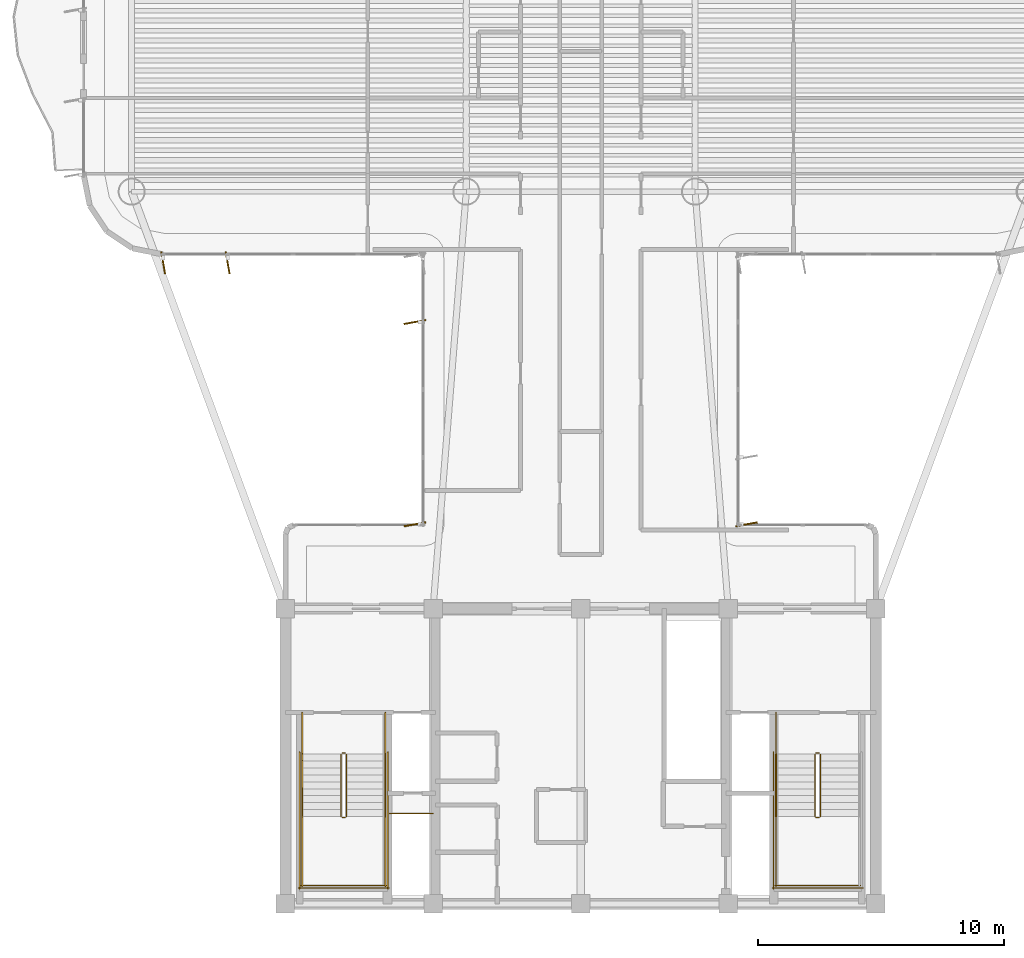
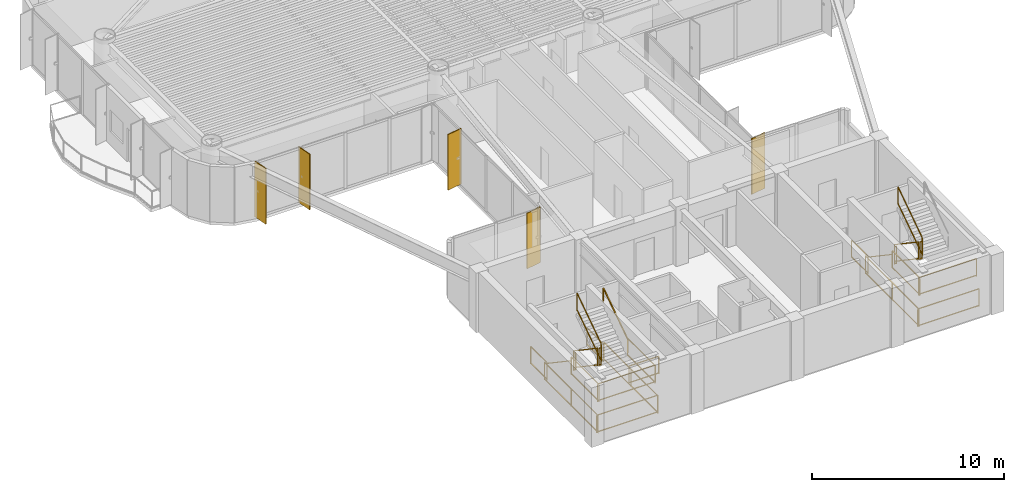
# One storey, part 14 of 15: 25 railings, 5 shading devices.
"""IFC4 building model written with IfcOpenShell, lengths in metres."""

from ifc_helpers import new_model, si_unit, direction, frame, origin, origin_2d, place, context, subcontext, project, spatial, rectangle, extrude, source, transform, mapped, material, layer, layer_set, material_profile, profile_set, type_object, element, save


model = new_model("IFC4")

# Units and contexts
model_context = context("Model", 3, precision=1e-05, world=origin(), true_north=direction((0.0, 1.0)))
body_context = subcontext(model_context, "Body", "Model", "MODEL_VIEW")
ifc_project = project(units=[si_unit("LENGTHUNIT", "METRE"), si_unit("AREAUNIT", "SQUARE_METRE"), si_unit("VOLUMEUNIT", "CUBIC_METRE"), si_unit("PLANEANGLEUNIT", "RADIAN"), si_unit("MASSUNIT", "GRAM", prefix="KILO")], contexts=[model_context])

# Site, building, storey
site_placement = place(None, origin())
site = spatial("IfcSite", under=ifc_project, at=site_placement, CompositionType="ELEMENT")
building_placement = place(site_placement, origin())
building = spatial("IfcBuilding", under=site, at=building_placement, Name="Brelvock Crest Care Tower", CompositionType="ELEMENT")
storey_placement = place(building_placement, frame((0.0, 0.0, 171.5400390625)))
storey = spatial("IfcBuildingStorey", under=building, at=storey_placement, Name="L43", CompositionType="ELEMENT", Elevation=171.5400390625)

# Railings
ifc_material_1 = material(Name="Steel Grade 350", Category="steel")
ifc_layer_1 = layer(ifc_material_1, 0.050048828125, Name="RL-STG1")
ifc_layer_set_1 = layer_set([ifc_layer_1], Name="Steel Grade 350")
railing_type_1 = type_object("IfcRailingType", Name="RL-STG1", PredefinedType="GUARDRAIL", material=ifc_layer_set_1)
railing_1_placement = place(storey_placement, frame((26.260009765625, 12.080078125, 0.18896484375)))
element("IfcRailing", 1, at=railing_1_placement, inside=storey, type_object=railing_type_1, Name="L43 ST-1 stair guard 1", PredefinedType="GUARDRAIL", context=body_context, shape_type="SweptSolid", body=[
    extrude(rectangle(XDim=0.048095703125, YDim=0.048095703125, at=origin_2d()), frame((0.0, -0.001708984375, 1.116943359375), z_axis=(0.0, -0.828861706735, 0.559453546873), x_axis=(1.0, 0.0, 0.0)), (0.0, 0.0, 1.0), 3.036376953125),
    extrude(rectangle(XDim=0.048095703125, YDim=0.048095703125, at=origin_2d()), frame((0.0, -0.001708984375, 0.05615234375), z_axis=(0.0, -0.828861706735, 0.559453546873), x_axis=(1.0, 0.0, 0.0)), (0.0, 0.0, 1.0), 3.036376953125),
    extrude(rectangle(XDim=0.0419921875, YDim=0.0419921875, at=origin_2d()), origin(), (0.0, 0.0, 1.0), 1.08984375),
    extrude(rectangle(XDim=0.0419921875, YDim=0.0419921875, at=origin_2d()), frame((0.0, -2.52001953125, 1.700927734375)), (0.0, 0.0, 1.0), 1.08984375),
])
railing_2_placement = place(storey_placement, frame((26.31005859375, 9.510009765625, 1.889892578125)))
element("IfcRailing", 2, at=railing_2_placement, inside=storey, type_object=railing_type_1, Name="L43 ST-1 stair guard 2", PredefinedType="GUARDRAIL", context=body_context, shape_type="SweptSolid", body=[
    extrude(rectangle(XDim=0.048095703125, YDim=0.048095703125, at=origin_2d()), frame((0.001953125, 0.0, 1.11572265625), z_axis=(1.0, 0.0, 0.0), x_axis=(0.0, 1.0, 0.0)), (0.0, 0.0, 1.0), 0.115966796875),
    extrude(rectangle(XDim=0.048095703125, YDim=0.048095703125, at=origin_2d()), frame((0.001953125, 0.0, 0.054931640625), z_axis=(1.0, 0.0, 0.0), x_axis=(0.0, 1.0, 0.0)), (0.0, 0.0, 1.0), 0.115966796875),
    extrude(rectangle(XDim=0.0419921875, YDim=0.0419921875, at=origin_2d()), origin(), (0.0, 0.0, 1.0), 1.08984375),
    extrude(rectangle(XDim=0.0419921875, YDim=0.0419921875, at=origin_2d()), frame((0.119873046875, 0.0, 0.0)), (0.0, 0.0, 1.0), 1.08984375),
])
for number, where, name in (
    (3, (24.679931640625, 9.56005859375, 1.889892578125), "L43 ST-1 stair guard 3"),
    (4, (28.06005859375, 9.56005859375, 1.889892578125), "L43 ST-1 stair guard 4"),
):
    element("IfcRailing", number, at=place(storey_placement, frame(where)), inside=storey, type_object=railing_type_1, Name=name, PredefinedType="GUARDRAIL", context=body_context, shape_type="SweptSolid", body=[
        extrude(rectangle(XDim=0.048095703125, YDim=0.048095703125, at=origin_2d()), frame((0.0, -0.001953125, 1.11572265625), z_axis=(0.0, -1.0, 0.0), x_axis=(1.0, 0.0, 0.0)), (0.0, 0.0, 1.0), 2.856201171875),
        extrude(rectangle(XDim=0.048095703125, YDim=0.048095703125, at=origin_2d()), frame((0.0, -0.001953125, 0.054931640625), z_axis=(0.0, -1.0, 0.0), x_axis=(1.0, 0.0, 0.0)), (0.0, 0.0, 1.0), 2.856201171875),
        extrude(rectangle(XDim=0.0419921875, YDim=0.0419921875, at=origin_2d()), origin(), (0.0, 0.0, 1.0), 1.08984375),
        extrude(rectangle(XDim=0.0419921875, YDim=0.0419921875, at=origin_2d()), frame((0.0, -2.860107421875, 0.0)), (0.0, 0.0, 1.0), 1.08984375),
    ])
railing_3_placement = place(storey_placement, frame((24.6298828125, 6.75, 1.889892578125)))
element("IfcRailing", 5, at=railing_3_placement, inside=storey, type_object=railing_type_1, Name="L43 ST-1 stair guard 5", PredefinedType="GUARDRAIL", context=body_context, shape_type="SweptSolid", body=[
    extrude(rectangle(XDim=0.048095703125, YDim=0.048095703125, at=origin_2d()), frame((0.001953125, 0.0, 1.11572265625), z_axis=(1.0, 0.0, 0.0), x_axis=(0.0, 1.0, 0.0)), (0.0, 0.0, 1.0), 3.476318359375),
    extrude(rectangle(XDim=0.048095703125, YDim=0.048095703125, at=origin_2d()), frame((0.001953125, 0.0, 0.054931640625), z_axis=(1.0, 0.0, 0.0), x_axis=(0.0, 1.0, 0.0)), (0.0, 0.0, 1.0), 3.476318359375),
    extrude(rectangle(XDim=0.0419921875, YDim=0.0419921875, at=origin_2d()), origin(), (0.0, 0.0, 1.0), 1.08984375),
    extrude(rectangle(XDim=0.0419921875, YDim=0.0419921875, at=origin_2d()), frame((3.480224609375, 0.0, 0.0)), (0.0, 0.0, 1.0), 1.08984375),
])
railing_4_placement = place(storey_placement, frame((26.47998046875, 9.56005859375, 2.078857421875)))
element("IfcRailing", 6, at=railing_4_placement, inside=storey, type_object=railing_type_1, Name="L43 ST-1 stair guard 6", PredefinedType="GUARDRAIL", context=body_context, shape_type="SweptSolid", body=[
    extrude(rectangle(XDim=0.048095703125, YDim=0.048095703125, at=origin_2d()), frame((0.0, 0.001708984375, 1.116943359375), z_axis=(0.0, 0.82882447046, 0.559508710537), x_axis=(-1.0, 0.0, 0.0)), (0.0, 0.0, 1.0), 3.036376953125),
    extrude(rectangle(XDim=0.048095703125, YDim=0.048095703125, at=origin_2d()), frame((0.0, 0.001708984375, 0.05615234375), z_axis=(0.0, 0.82882447046, 0.559508710537), x_axis=(-1.0, 0.0, 0.0)), (0.0, 0.0, 1.0), 3.036376953125),
    extrude(rectangle(XDim=0.0419921875, YDim=0.0419921875, at=origin_2d()), origin(), (0.0, 0.0, 1.0), 1.08984375),
    extrude(rectangle(XDim=0.0419921875, YDim=0.0419921875, at=origin_2d()), frame((0.0, 2.52001953125, 1.701171875)), (0.0, 0.0, 1.0), 1.08984375),
])
railing_5_placement = place(storey_placement, frame((26.31005859375, 12.1298828125, 0.0)))
element("IfcRailing", 7, at=railing_5_placement, inside=storey, type_object=railing_type_1, Name="L43 ST-1 stair guard 7", PredefinedType="GUARDRAIL", context=body_context, shape_type="SweptSolid", body=[
    extrude(rectangle(XDim=0.048095703125, YDim=0.048095703125, at=origin_2d()), frame((0.001953125, 0.0, 1.11572265625), z_axis=(1.0, 0.0, 0.0), x_axis=(0.0, 1.0, 0.0)), (0.0, 0.0, 1.0), 0.115966796875),
    extrude(rectangle(XDim=0.048095703125, YDim=0.048095703125, at=origin_2d()), frame((0.001953125, 0.0, 0.054931640625), z_axis=(1.0, 0.0, 0.0), x_axis=(0.0, 1.0, 0.0)), (0.0, 0.0, 1.0), 0.115966796875),
    extrude(rectangle(XDim=0.0419921875, YDim=0.0419921875, at=origin_2d()), origin(), (0.0, 0.0, 1.0), 1.08984375),
    extrude(rectangle(XDim=0.0419921875, YDim=0.0419921875, at=origin_2d()), frame((0.119873046875, 0.0, 0.0)), (0.0, 0.0, 1.0), 1.08984375),
])
for number, where, name in (
    (8, (24.679931640625, 13.780029296875, 0.0), "L43 ST-1 stair guard 8"),
    (9, (28.06005859375, 13.780029296875, 0.0), "L43 ST-1 stair guard 9"),
):
    element("IfcRailing", number, at=place(storey_placement, frame(where)), inside=storey, type_object=railing_type_1, Name=name, PredefinedType="GUARDRAIL", context=body_context, shape_type="SweptSolid", body=[
        extrude(rectangle(XDim=0.048095703125, YDim=0.048095703125, at=origin_2d()), frame((0.0, -0.001953125, 1.11572265625), z_axis=(0.0, -1.0, 0.0), x_axis=(1.0, 0.0, 0.0)), (0.0, 0.0, 1.0), 1.696044921875),
        extrude(rectangle(XDim=0.048095703125, YDim=0.048095703125, at=origin_2d()), frame((0.0, -0.001953125, 0.054931640625), z_axis=(0.0, -1.0, 0.0), x_axis=(1.0, 0.0, 0.0)), (0.0, 0.0, 1.0), 1.696044921875),
        extrude(rectangle(XDim=0.0419921875, YDim=0.0419921875, at=origin_2d()), origin(), (0.0, 0.0, 1.0), 1.08984375),
        extrude(rectangle(XDim=0.0419921875, YDim=0.0419921875, at=origin_2d()), frame((0.0, -1.699951171875, 0.0)), (0.0, 0.0, 1.0), 1.08984375),
    ])
for number, where, name in (
    (10, (24.580078125, 12.179931640625, 0.0), "L43 ST-1 stair guard 10"),
    (11, (28.159912109375, 12.179931640625, 0.0), "L43 ST-1 stair guard 11"),
):
    element("IfcRailing", number, at=place(storey_placement, frame(where)), inside=storey, type_object=railing_type_1, Name=name, PredefinedType="GUARDRAIL", context=body_context, shape_type="SweptSolid", body=[
        extrude(rectangle(XDim=0.048095703125, YDim=0.048095703125, at=origin_2d()), frame((0.0, -0.001953125, 1.11572265625), z_axis=(0.0, -1.0, 0.0), x_axis=(1.0, 0.0, 0.0)), (0.0, 0.0, 1.0), 5.575927734375),
        extrude(rectangle(XDim=0.048095703125, YDim=0.048095703125, at=origin_2d()), frame((0.0, -0.001953125, 0.054931640625), z_axis=(0.0, -1.0, 0.0), x_axis=(1.0, 0.0, 0.0)), (0.0, 0.0, 1.0), 5.575927734375),
        extrude(rectangle(XDim=0.0419921875, YDim=0.0419921875, at=origin_2d()), origin(), (0.0, 0.0, 1.0), 1.08984375),
        extrude(rectangle(XDim=0.0419921875, YDim=0.0419921875, at=origin_2d()), frame((0.0, -2.7900390625, 0.0)), (0.0, 0.0, 1.0), 1.08984375),
        extrude(rectangle(XDim=0.0419921875, YDim=0.0419921875, at=origin_2d()), frame((0.0, -5.579833984375, 0.0)), (0.0, 0.0, 1.0), 1.08984375),
    ])
railing_6_placement = place(storey_placement, frame((24.530029296875, 6.64990234375, 0.0)))
element("IfcRailing", 12, at=railing_6_placement, inside=storey, type_object=railing_type_1, Name="L43 ST-1 stair guard 12", PredefinedType="GUARDRAIL", context=body_context, shape_type="SweptSolid", body=[
    extrude(rectangle(XDim=0.048095703125, YDim=0.048095703125, at=origin_2d()), frame((0.001953125, 0.0, 1.11572265625), z_axis=(1.0, 0.0, 0.0), x_axis=(0.0, 1.0, 0.0)), (0.0, 0.0, 1.0), 3.676025390625),
    extrude(rectangle(XDim=0.048095703125, YDim=0.048095703125, at=origin_2d()), frame((0.001953125, 0.0, 0.054931640625), z_axis=(1.0, 0.0, 0.0), x_axis=(0.0, 1.0, 0.0)), (0.0, 0.0, 1.0), 3.676025390625),
    extrude(rectangle(XDim=0.0419921875, YDim=0.0419921875, at=origin_2d()), origin(), (0.0, 0.0, 1.0), 1.08984375),
    extrude(rectangle(XDim=0.0419921875, YDim=0.0419921875, at=origin_2d()), frame((3.679931640625, 0.0, 0.0)), (0.0, 0.0, 1.0), 1.08984375),
])
railing_7_placement = place(storey_placement, frame((45.52001953125, 12.080078125, 0.18896484375)))
element("IfcRailing", 13, at=railing_7_placement, inside=storey, type_object=railing_type_1, Name="L43 ST-2 stair guard 1", PredefinedType="GUARDRAIL", context=body_context, shape_type="SweptSolid", body=[
    extrude(rectangle(XDim=0.048095703125, YDim=0.048095703125, at=origin_2d()), frame((0.0, -0.001708984375, 1.116943359375), z_axis=(0.0, -0.828861706735, 0.559453546873), x_axis=(1.0, 0.0, 0.0)), (0.0, 0.0, 1.0), 3.036376953125),
    extrude(rectangle(XDim=0.048095703125, YDim=0.048095703125, at=origin_2d()), frame((0.0, -0.001708984375, 0.05615234375), z_axis=(0.0, -0.828861706735, 0.559453546873), x_axis=(1.0, 0.0, 0.0)), (0.0, 0.0, 1.0), 3.036376953125),
    extrude(rectangle(XDim=0.0419921875, YDim=0.0419921875, at=origin_2d()), origin(), (0.0, 0.0, 1.0), 1.08984375),
    extrude(rectangle(XDim=0.0419921875, YDim=0.0419921875, at=origin_2d()), frame((0.0, -2.52001953125, 1.700927734375)), (0.0, 0.0, 1.0), 1.08984375),
])
railing_8_placement = place(storey_placement, frame((45.570068359375, 9.510009765625, 1.889892578125)))
element("IfcRailing", 14, at=railing_8_placement, inside=storey, type_object=railing_type_1, Name="L43 ST-2 stair guard 2", PredefinedType="GUARDRAIL", context=body_context, shape_type="SweptSolid", body=[
    extrude(rectangle(XDim=0.048095703125, YDim=0.048095703125, at=origin_2d()), frame((0.001953125, 0.0, 1.11572265625), z_axis=(1.0, 0.0, 0.0), x_axis=(0.0, 1.0, 0.0)), (0.0, 0.0, 1.0), 0.115966796875),
    extrude(rectangle(XDim=0.048095703125, YDim=0.048095703125, at=origin_2d()), frame((0.001953125, 0.0, 0.054931640625), z_axis=(1.0, 0.0, 0.0), x_axis=(0.0, 1.0, 0.0)), (0.0, 0.0, 1.0), 0.115966796875),
    extrude(rectangle(XDim=0.0419921875, YDim=0.0419921875, at=origin_2d()), origin(), (0.0, 0.0, 1.0), 1.08984375),
    extrude(rectangle(XDim=0.0419921875, YDim=0.0419921875, at=origin_2d()), frame((0.119873046875, 0.0, 0.0)), (0.0, 0.0, 1.0), 1.08984375),
])
railing_9_placement = place(storey_placement, frame((43.93994140625, 9.56005859375, 1.889892578125)))
element("IfcRailing", 15, at=railing_9_placement, inside=storey, type_object=railing_type_1, Name="L43 ST-2 stair guard 3", PredefinedType="GUARDRAIL", context=body_context, shape_type="SweptSolid", body=[
    extrude(rectangle(XDim=0.048095703125, YDim=0.048095703125, at=origin_2d()), frame((0.0, -0.001953125, 1.11572265625), z_axis=(0.0, -1.0, 0.0), x_axis=(1.0, 0.0, 0.0)), (0.0, 0.0, 1.0), 2.856201171875),
    extrude(rectangle(XDim=0.048095703125, YDim=0.048095703125, at=origin_2d()), frame((0.0, -0.001953125, 0.054931640625), z_axis=(0.0, -1.0, 0.0), x_axis=(1.0, 0.0, 0.0)), (0.0, 0.0, 1.0), 2.856201171875),
    extrude(rectangle(XDim=0.0419921875, YDim=0.0419921875, at=origin_2d()), origin(), (0.0, 0.0, 1.0), 1.08984375),
    extrude(rectangle(XDim=0.0419921875, YDim=0.0419921875, at=origin_2d()), frame((0.0, -2.860107421875, 0.0)), (0.0, 0.0, 1.0), 1.08984375),
])
railing_10_placement = place(storey_placement, frame((43.889892578125, 6.75, 1.889892578125)))
element("IfcRailing", 16, at=railing_10_placement, inside=storey, type_object=railing_type_1, Name="L43 ST-2 stair guard 5", PredefinedType="GUARDRAIL", context=body_context, shape_type="SweptSolid", body=[
    extrude(rectangle(XDim=0.048095703125, YDim=0.048095703125, at=origin_2d()), frame((0.001953125, 0.0, 1.11572265625), z_axis=(1.0, 0.0, 0.0), x_axis=(0.0, 1.0, 0.0)), (0.0, 0.0, 1.0), 3.476318359375),
    extrude(rectangle(XDim=0.048095703125, YDim=0.048095703125, at=origin_2d()), frame((0.001953125, 0.0, 0.054931640625), z_axis=(1.0, 0.0, 0.0), x_axis=(0.0, 1.0, 0.0)), (0.0, 0.0, 1.0), 3.476318359375),
    extrude(rectangle(XDim=0.0419921875, YDim=0.0419921875, at=origin_2d()), origin(), (0.0, 0.0, 1.0), 1.08984375),
    extrude(rectangle(XDim=0.0419921875, YDim=0.0419921875, at=origin_2d()), frame((3.480224609375, 0.0, 0.0)), (0.0, 0.0, 1.0), 1.08984375),
])
railing_11_placement = place(storey_placement, frame((45.739990234375, 9.56005859375, 2.078857421875)))
element("IfcRailing", 17, at=railing_11_placement, inside=storey, type_object=railing_type_1, Name="L43 ST-2 stair guard 6", PredefinedType="GUARDRAIL", context=body_context, shape_type="SweptSolid", body=[
    extrude(rectangle(XDim=0.048095703125, YDim=0.048095703125, at=origin_2d()), frame((0.0, 0.001708984375, 1.116943359375), z_axis=(0.0, 0.82882447046, 0.559508710537), x_axis=(-1.0, 0.0, 0.0)), (0.0, 0.0, 1.0), 3.036376953125),
    extrude(rectangle(XDim=0.048095703125, YDim=0.048095703125, at=origin_2d()), frame((0.0, 0.001708984375, 0.05615234375), z_axis=(0.0, 0.82882447046, 0.559508710537), x_axis=(-1.0, 0.0, 0.0)), (0.0, 0.0, 1.0), 3.036376953125),
    extrude(rectangle(XDim=0.0419921875, YDim=0.0419921875, at=origin_2d()), origin(), (0.0, 0.0, 1.0), 1.08984375),
    extrude(rectangle(XDim=0.0419921875, YDim=0.0419921875, at=origin_2d()), frame((0.0, 2.52001953125, 1.701171875)), (0.0, 0.0, 1.0), 1.08984375),
])
railing_12_placement = place(storey_placement, frame((45.570068359375, 12.1298828125, 0.0)))
element("IfcRailing", 18, at=railing_12_placement, inside=storey, type_object=railing_type_1, Name="L43 ST-2 stair guard 7", PredefinedType="GUARDRAIL", context=body_context, shape_type="SweptSolid", body=[
    extrude(rectangle(XDim=0.048095703125, YDim=0.048095703125, at=origin_2d()), frame((0.001953125, 0.0, 1.11572265625), z_axis=(1.0, 0.0, 0.0), x_axis=(0.0, 1.0, 0.0)), (0.0, 0.0, 1.0), 0.115966796875),
    extrude(rectangle(XDim=0.048095703125, YDim=0.048095703125, at=origin_2d()), frame((0.001953125, 0.0, 0.054931640625), z_axis=(1.0, 0.0, 0.0), x_axis=(0.0, 1.0, 0.0)), (0.0, 0.0, 1.0), 0.115966796875),
    extrude(rectangle(XDim=0.0419921875, YDim=0.0419921875, at=origin_2d()), origin(), (0.0, 0.0, 1.0), 1.08984375),
    extrude(rectangle(XDim=0.0419921875, YDim=0.0419921875, at=origin_2d()), frame((0.119873046875, 0.0, 0.0)), (0.0, 0.0, 1.0), 1.08984375),
])
railing_13_placement = place(storey_placement, frame((43.93994140625, 13.780029296875, 0.0)))
element("IfcRailing", 19, at=railing_13_placement, inside=storey, type_object=railing_type_1, Name="L43 ST-2 stair guard 8", PredefinedType="GUARDRAIL", context=body_context, shape_type="SweptSolid", body=[
    extrude(rectangle(XDim=0.048095703125, YDim=0.048095703125, at=origin_2d()), frame((0.0, -0.001953125, 1.11572265625), z_axis=(0.0, -1.0, 0.0), x_axis=(1.0, 0.0, 0.0)), (0.0, 0.0, 1.0), 1.696044921875),
    extrude(rectangle(XDim=0.048095703125, YDim=0.048095703125, at=origin_2d()), frame((0.0, -0.001953125, 0.054931640625), z_axis=(0.0, -1.0, 0.0), x_axis=(1.0, 0.0, 0.0)), (0.0, 0.0, 1.0), 1.696044921875),
    extrude(rectangle(XDim=0.0419921875, YDim=0.0419921875, at=origin_2d()), origin(), (0.0, 0.0, 1.0), 1.08984375),
    extrude(rectangle(XDim=0.0419921875, YDim=0.0419921875, at=origin_2d()), frame((0.0, -1.699951171875, 0.0)), (0.0, 0.0, 1.0), 1.08984375),
])
railing_14_placement = place(storey_placement, frame((43.840087890625, 12.179931640625, 0.0)))
element("IfcRailing", 20, at=railing_14_placement, inside=storey, type_object=railing_type_1, Name="L43 ST-2 stair guard 10", PredefinedType="GUARDRAIL", context=body_context, shape_type="SweptSolid", body=[
    extrude(rectangle(XDim=0.048095703125, YDim=0.048095703125, at=origin_2d()), frame((0.0, -0.001953125, 1.11572265625), z_axis=(0.0, -1.0, 0.0), x_axis=(1.0, 0.0, 0.0)), (0.0, 0.0, 1.0), 5.575927734375),
    extrude(rectangle(XDim=0.048095703125, YDim=0.048095703125, at=origin_2d()), frame((0.0, -0.001953125, 0.054931640625), z_axis=(0.0, -1.0, 0.0), x_axis=(1.0, 0.0, 0.0)), (0.0, 0.0, 1.0), 5.575927734375),
    extrude(rectangle(XDim=0.0419921875, YDim=0.0419921875, at=origin_2d()), origin(), (0.0, 0.0, 1.0), 1.08984375),
    extrude(rectangle(XDim=0.0419921875, YDim=0.0419921875, at=origin_2d()), frame((0.0, -2.7900390625, 0.0)), (0.0, 0.0, 1.0), 1.08984375),
    extrude(rectangle(XDim=0.0419921875, YDim=0.0419921875, at=origin_2d()), frame((0.0, -5.579833984375, 0.0)), (0.0, 0.0, 1.0), 1.08984375),
])
railing_15_placement = place(storey_placement, frame((43.7900390625, 6.64990234375, 0.0)))
element("IfcRailing", 21, at=railing_15_placement, inside=storey, type_object=railing_type_1, Name="L43 ST-2 stair guard 12", PredefinedType="GUARDRAIL", context=body_context, shape_type="SweptSolid", body=[
    extrude(rectangle(XDim=0.048095703125, YDim=0.048095703125, at=origin_2d()), frame((0.001953125, 0.0, 1.11572265625), z_axis=(1.0, 0.0, 0.0), x_axis=(0.0, 1.0, 0.0)), (0.0, 0.0, 1.0), 3.676025390625),
    extrude(rectangle(XDim=0.048095703125, YDim=0.048095703125, at=origin_2d()), frame((0.001953125, 0.0, 0.054931640625), z_axis=(1.0, 0.0, 0.0), x_axis=(0.0, 1.0, 0.0)), (0.0, 0.0, 1.0), 3.676025390625),
    extrude(rectangle(XDim=0.0419921875, YDim=0.0419921875, at=origin_2d()), origin(), (0.0, 0.0, 1.0), 1.08984375),
    extrude(rectangle(XDim=0.0419921875, YDim=0.0419921875, at=origin_2d()), frame((3.679931640625, 0.0, 0.0)), (0.0, 0.0, 1.0), 1.08984375),
])
railing_16_placement = place(storey_placement, frame((28.219970703125, 9.679931640625, 0.0)))
element("IfcRailing", 22, at=railing_16_placement, inside=storey, type_object=railing_type_1, Name="L43 Fire Riser Threshold Guard", PredefinedType="GUARDRAIL", context=body_context, shape_type="SweptSolid", body=[
    extrude(rectangle(XDim=0.048095703125, YDim=0.048095703125, at=origin_2d()), frame((0.001953125, 0.0, 1.11572265625), z_axis=(1.0, 0.0, 0.0), x_axis=(0.0, 1.0, 0.0)), (0.0, 0.0, 1.0), 1.776123046875),
    extrude(rectangle(XDim=0.048095703125, YDim=0.048095703125, at=origin_2d()), frame((0.001953125, 0.0, 0.054931640625), z_axis=(1.0, 0.0, 0.0), x_axis=(0.0, 1.0, 0.0)), (0.0, 0.0, 1.0), 1.776123046875),
    extrude(rectangle(XDim=0.0419921875, YDim=0.0419921875, at=origin_2d()), origin(), (0.0, 0.0, 1.0), 1.08984375),
    extrude(rectangle(XDim=0.0419921875, YDim=0.0419921875, at=origin_2d()), frame((1.780029296875, 0.0, 0.0)), (0.0, 0.0, 1.0), 1.08984375),
])
ifc_layer_2 = layer(ifc_material_1, 0.048095703125, Name="RL-STH1")
ifc_layer_set_2 = layer_set([ifc_layer_2], Name="Steel Grade 350")
railing_type_2 = type_object("IfcRailingType", Name="RL-STH1", PredefinedType="HANDRAIL", material=ifc_layer_set_2)
railing_17_placement = place(storey_placement, frame((24.679931640625, 12.080078125, 0.18896484375)))
element("IfcRailing", 23, at=railing_17_placement, inside=storey, type_object=railing_type_2, Name="L43 ST-1 stair handrail 1", PredefinedType="HANDRAIL", context=body_context, shape_type="SweptSolid", body=[
    extrude(rectangle(XDim=0.048095703125, YDim=0.048095703125, at=origin_2d()), frame((0.0, -0.001708984375, 0.876953125), z_axis=(0.0, -0.828861706735, 0.559453546873), x_axis=(1.0, 0.0, 0.0)), (0.0, 0.0, 1.0), 3.036376953125),
    extrude(rectangle(XDim=0.0419921875, YDim=0.0419921875, at=origin_2d()), origin(), (0.0, 0.0, 1.0), 0.849853515625),
    extrude(rectangle(XDim=0.0419921875, YDim=0.0419921875, at=origin_2d()), frame((0.0, -2.52001953125, 1.700927734375)), (0.0, 0.0, 1.0), 0.849853515625),
])
railing_18_placement = place(storey_placement, frame((28.06005859375, 9.56005859375, 2.078857421875)))
element("IfcRailing", 24, at=railing_18_placement, inside=storey, type_object=railing_type_2, Name="L43 ST-1 stair handrail 2", PredefinedType="HANDRAIL", context=body_context, shape_type="SweptSolid", body=[
    extrude(rectangle(XDim=0.048095703125, YDim=0.048095703125, at=origin_2d()), frame((0.0, 0.001708984375, 0.876953125), z_axis=(0.0, 0.82882447046, 0.559508710537), x_axis=(-1.0, 0.0, 0.0)), (0.0, 0.0, 1.0), 3.036376953125),
    extrude(rectangle(XDim=0.0419921875, YDim=0.0419921875, at=origin_2d()), origin(), (0.0, 0.0, 1.0), 0.849853515625),
    extrude(rectangle(XDim=0.0419921875, YDim=0.0419921875, at=origin_2d()), frame((0.0, 2.52001953125, 1.701171875)), (0.0, 0.0, 1.0), 0.849853515625),
])
railing_19_placement = place(storey_placement, frame((43.93994140625, 12.080078125, 0.18896484375)))
element("IfcRailing", 25, at=railing_19_placement, inside=storey, type_object=railing_type_2, Name="L43 ST-2 stair handrail 1", PredefinedType="HANDRAIL", context=body_context, shape_type="SweptSolid", body=[
    extrude(rectangle(XDim=0.048095703125, YDim=0.048095703125, at=origin_2d()), frame((0.0, -0.001708984375, 0.876953125), z_axis=(0.0, -0.828861706735, 0.559453546873), x_axis=(1.0, 0.0, 0.0)), (0.0, 0.0, 1.0), 3.036376953125),
    extrude(rectangle(XDim=0.0419921875, YDim=0.0419921875, at=origin_2d()), origin(), (0.0, 0.0, 1.0), 0.849853515625),
    extrude(rectangle(XDim=0.0419921875, YDim=0.0419921875, at=origin_2d()), frame((0.0, -2.52001953125, 1.700927734375)), (0.0, 0.0, 1.0), 0.849853515625),
])

# Shading devices
ifc_material_2 = material(Name="Aluminium 6063-T6", Category="aluminium")
ifc_material_profile = material_profile(ifc_material_2, rectangle(XDim=0.054931640625, YDim=0.89990234375, at=origin_2d()), Name="FIN55x900")
ifc_profile_set = profile_set([ifc_material_profile], Name="Aluminium 6063-T6")
shading_device_type = type_object("IfcShadingDeviceType", Name="SHD-FIN1", PredefinedType="USERDEFINED", material=ifc_profile_set)
shared_shape = source(origin(), body_context, "Body", "SweptSolid", [
    extrude(rectangle(XDim=0.054931640625, YDim=0.89990234375, at=origin_2d()), origin(), (0.0, 0.0, 1.0), 3.530029296875),
])
for number, where, z_axis, x_axis, name in (
    (26, (29.260009765625, 21.429931640625, 0.0), (0.0, 0.0, 1.0), (-0.173648177667, 0.984807753012, 0.0), "L43 Vertical Sunshade Fin E11-01"),
    (27, (29.260009765625, 29.64990234375, 0.0), (0.0, 0.0, 1.0), (-0.173648177667, 0.984807753012, 0.0), "L43 Vertical Sunshade Fin E11-04"),
    (28, (21.64990234375, 32.06005859375, 0.0), (0.0, 0.0, 1.0), (-0.984807753012, -0.173648177667, 0.0), "L43 Vertical Sunshade Fin E12-04"),
    (29, (19.030029296875, 32.06005859375, 0.0), (0.0, 0.0, 1.0), (-0.984807753012, -0.173648177667, 0.0), "L43 Vertical Sunshade Fin E12-05"),
    (30, (42.739990234375, 21.429931640625, 0.0), (0.0, 0.0, 1.0), (0.173648177667, -0.984807753012, 0.0), "L43 Vertical Sunshade Fin E45-05"),
):
    element("IfcShadingDevice", number, at=place(storey_placement, frame(where, z_axis=z_axis, x_axis=x_axis)), inside=storey, type_object=shading_device_type, Name=name, ObjectType="FIN", PredefinedType="USERDEFINED", context=body_context, shape_type="MappedRepresentation", body=[
        mapped(shared_shape, transform((0.0, 0.0, 0.0), x_axis=(1.0, 0.0, 0.0), y_axis=(0.0, 1.0, 0.0), z_axis=(0.0, 0.0, 1.0), scale=1.0)),
    ])

save(model, "model.ifc")
